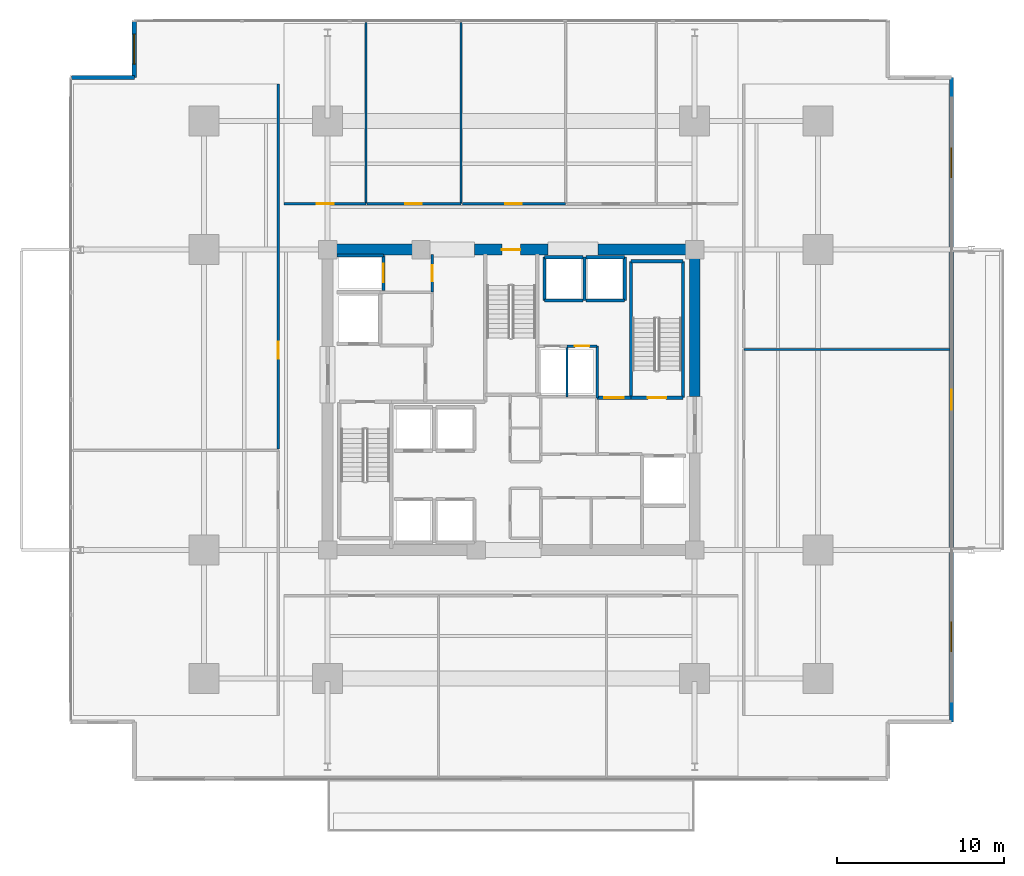
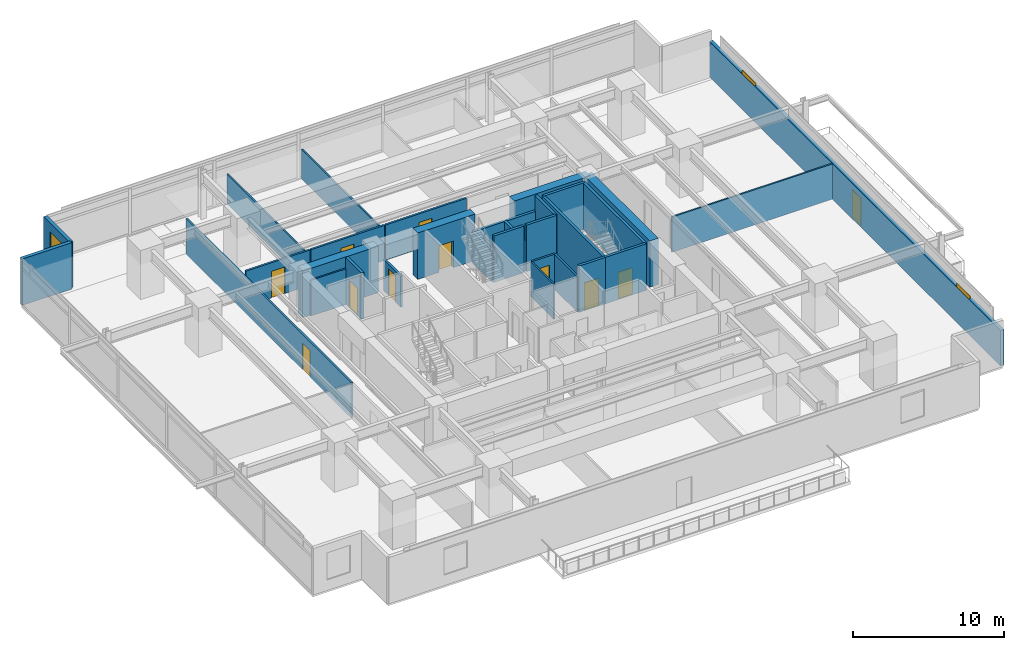
# One storey, part 18 of 24: 32 walls, 11 doors, 3 windows, 14 openings.
"""IFC4 building model written with IfcOpenShell, lengths in metres."""

from ifc_helpers import new_model, si_unit, direction, frame, frame_2d, origin, place, context, subcontext, project, spatial, rectangle, extrude, material, layer, layer_set, type_object, element, fill, save


model = new_model("IFC4")

# Units and contexts
model_context = context("Model", 3, precision=1e-05, world=origin(), true_north=direction((0.0, 1.0)))
body_context = subcontext(model_context, "Body", "Model", "MODEL_VIEW")
ifc_project = project(units=[si_unit("LENGTHUNIT", "METRE"), si_unit("AREAUNIT", "SQUARE_METRE"), si_unit("VOLUMEUNIT", "CUBIC_METRE"), si_unit("PLANEANGLEUNIT", "RADIAN"), si_unit("MASSUNIT", "GRAM", prefix="KILO")], contexts=[model_context])

# Site, building, storey
site_placement = place(None, origin())
site = spatial("IfcSite", under=ifc_project, at=site_placement, CompositionType="ELEMENT")
building_placement = place(site_placement, origin())
building = spatial("IfcBuilding", under=site, at=building_placement, Name="Kovane Verandah Tower", CompositionType="ELEMENT")
storey_placement = place(building_placement, frame((0.0, 0.0, 95.60009765625)))
storey = spatial("IfcBuildingStorey", under=building, at=storey_placement, Name="L22", CompositionType="ELEMENT", Elevation=95.60009765625)

# Wall, opening, door
ifc_material_1 = material(Name="Fire-Rated Gypsum Stud Partition", Category="gypsum")
ifc_layer_1 = layer(ifc_material_1, 0.14990234375)
ifc_layer_set_1 = layer_set([ifc_layer_1], Name="Fire-Rated Gypsum Stud Partition")
wall_type_1 = type_object("IfcWallType", Name="WL-COR-150", PredefinedType="PARTITIONING", material=ifc_layer_set_1)
wall_1_placement = place(storey_placement, frame((35.280029296875, 33.949951171875, 0.0), z_axis=(0.0, 0.0, 1.0), x_axis=(0.0, 1.0, 0.0)))
wall_1 = element("IfcWall", 1, at=wall_1_placement, inside=storey, type_object=wall_type_1, Name="L22 Goods Lift Lobby East Fire Partition", PredefinedType="PARTITIONING", context=body_context, shape_type="SweptSolid", body=[
    extrude(rectangle(XDim=2.27001953125, YDim=0.14990234375, at=frame_2d((1.135009765625, 0.0))), origin(), (0.0, 0.0, 1.0), 2.539794921875),
])
opening_1_placement = place(wall_1_placement, frame((0.659912109375, 0.0, 0.0)))
opening_1 = element("IfcOpeningElement", 2, at=opening_1_placement, cuts=wall_1, Name="Opening DR-L22-008", PredefinedType="OPENING", context=body_context, shape_type="SweptSolid", body=[
    extrude(rectangle(XDim=0.949951171875, YDim=2.14990234375, at=frame_2d((0.47509765625, 1.074951171875))), frame((0.0, 0.074951171875, 0.0), z_axis=(0.0, -1.0, 0.0), x_axis=(1.0, 0.0, 0.0)), (0.0, 0.0, 1.0), 0.14990234375),
])
ifc_material_2 = material(Name="Fire-Rated Steel Refuge and Lobby Door", Category="steel")
door_type_1 = type_object("IfcDoorType", Name="DR-FIRE-950", OperationType="SINGLE_SWING_LEFT", PredefinedType="DOOR", material=ifc_material_2)
door_1_placement = place(opening_1_placement, origin())
door_1 = element("IfcDoor", 3, at=door_1_placement, inside=storey, type_object=door_type_1, Name="L22 Goods Lift Lobby Fire Door", OperationType="SINGLE_SWING_LEFT", OverallHeight=2.14990234375, OverallWidth=0.949951171875, PredefinedType="DOOR", context=body_context, shape_type="SweptSolid", body=[
    extrude(rectangle(XDim=0.949951171875, YDim=2.14990234375, at=frame_2d((0.47509765625, 1.074951171875))), frame((0.0, 0.02490234375, 0.0), z_axis=(0.0, -1.0, 0.0), x_axis=(1.0, 0.0, 0.0)), (0.0, 0.0, 1.0), 0.050048828125),
])
fill(opening_1, door_1)

# Wall
wall_2_placement = place(storey_placement, frame((45.14990234375, 27.6201171875, 0.0), z_axis=(0.0, 0.0, 1.0), x_axis=(0.0, 1.0, 0.0)))
element("IfcWall", 4, at=wall_2_placement, inside=storey, type_object=wall_type_1, Name="L22 East Core Service Riser East Wall", PredefinedType="PARTITIONING", context=body_context, shape_type="SweptSolid", body=[
    extrude(rectangle(XDim=3.099853515625, YDim=0.14990234375, at=frame_2d((1.5498046875, 0.0))), origin(), (0.0, 0.0, 1.0), 2.849853515625),
])

# Wall, opening, door
wall_3_placement = place(storey_placement, frame((43.360107421875, 30.719970703125, 0.0), z_axis=(0.0, 0.0, 1.0), x_axis=(1.0, 0.0, 0.0)))
wall_3 = element("IfcWall", 5, at=wall_3_placement, inside=storey, type_object=wall_type_1, Name="L22 Smoke Extract Duct Room Partition", PredefinedType="PARTITIONING", context=body_context, shape_type="SweptSolid", body=[
    extrude(rectangle(XDim=1.789794921875, YDim=0.14990234375, at=frame_2d((0.89501953125, 0.0))), origin(), (0.0, 0.0, 1.0), 2.849853515625),
])
opening_2_placement = place(wall_3_placement, frame((0.455078125, 0.0, 0.0)))
opening_2 = element("IfcOpeningElement", 6, at=opening_2_placement, cuts=wall_3, Name="Opening DR-L22-018", PredefinedType="OPENING", context=body_context, shape_type="SweptSolid", body=[
    extrude(rectangle(XDim=0.8798828125, YDim=2.10009765625, at=frame_2d((0.43994140625, 1.050048828125))), frame((0.0, 0.074951171875, 0.0), z_axis=(0.0, -1.0, 0.0), x_axis=(1.0, 0.0, 0.0)), (0.0, 0.0, 1.0), 0.14990234375),
])
ifc_material_3 = material(Name="Fire-Rated Steel Riser Access Door", Category="steel")
door_type_2 = type_object("IfcDoorType", Name="DR-RISER-880", OperationType="SINGLE_SWING_LEFT", PredefinedType="DOOR", material=ifc_material_3)
door_2_placement = place(opening_2_placement, origin())
door_2 = element("IfcDoor", 7, at=door_2_placement, inside=storey, type_object=door_type_2, Name="L22 Smoke Extract Duct Room Door", OperationType="SINGLE_SWING_LEFT", OverallHeight=2.10009765625, OverallWidth=0.8798828125, PredefinedType="DOOR", context=body_context, shape_type="SweptSolid", body=[
    extrude(rectangle(XDim=0.8798828125, YDim=2.10009765625, at=frame_2d((0.43994140625, 1.050048828125))), frame((0.0, 0.02490234375, 0.0), z_axis=(0.0, -1.0, 0.0), x_axis=(1.0, 0.0, 0.0)), (0.0, 0.0, 1.0), 0.050048828125),
])
fill(opening_2, door_2)

wall_4_placement = place(storey_placement, frame((26.39990234375, 39.25, 0.0), z_axis=(0.0, 0.0, 1.0), x_axis=(1.0, 0.0, 0.0)))
wall_4 = element("IfcWall", 8, at=wall_4_placement, inside=storey, type_object=wall_type_1, Name="L22 Breakout Pantry N1 Corridor Partition", PredefinedType="PARTITIONING", context=body_context, shape_type="SweptSolid", body=[
    extrude(rectangle(XDim=4.89599609375, YDim=0.14990234375, at=frame_2d((2.447998046875, 0.0))), origin(), (0.0, 0.0, 1.0), 2.849853515625),
])
opening_3_placement = place(wall_4_placement, frame((1.962890625, 0.0, 0.0)))
opening_3 = element("IfcOpeningElement", 9, at=opening_3_placement, cuts=wall_4, Name="Opening DR-L22-019", PredefinedType="OPENING", context=body_context, shape_type="SweptSolid", body=[
    extrude(rectangle(XDim=1.0, YDim=2.14990234375, at=frame_2d((0.5, 1.074951171875))), frame((0.0, 0.074951171875, 0.0), z_axis=(0.0, -1.0, 0.0), x_axis=(1.0, 0.0, 0.0)), (0.0, 0.0, 1.0), 0.14990234375),
])
ifc_material_4 = material(Name="FSC Spotted-Gum Timber Fire-Rated Office Door", Category="wood")
door_type_3 = type_object("IfcDoorType", Name="DR-OFF-1000", OperationType="SINGLE_SWING_LEFT", PredefinedType="DOOR", material=ifc_material_4)
door_3_placement = place(opening_3_placement, origin())
door_3 = element("IfcDoor", 10, at=door_3_placement, inside=storey, type_object=door_type_3, Name="L22 Breakout Pantry N1 Entrance Door", OperationType="SINGLE_SWING_RIGHT", OverallHeight=2.14990234375, OverallWidth=1.0, PredefinedType="DOOR", context=body_context, shape_type="SweptSolid", body=[
    extrude(rectangle(XDim=1.0, YDim=2.14990234375, at=frame_2d((0.5, 1.074951171875))), frame((0.0, 0.02490234375, 0.0), z_axis=(0.0, -1.0, 0.0), x_axis=(1.0, 0.0, 0.0)), (0.0, 0.0, 1.0), 0.050048828125),
])
fill(opening_3, door_3)

wall_5_placement = place(storey_placement, frame((31.365966796875, 39.25, 0.0), z_axis=(0.0, 0.0, 1.0), x_axis=(1.0, 0.0, 0.0)))
wall_5 = element("IfcWall", 11, at=wall_5_placement, inside=storey, type_object=wall_type_1, Name="L22 Collaboration Hub N2 Corridor Partition", PredefinedType="PARTITIONING", context=body_context, shape_type="SweptSolid", body=[
    extrude(rectangle(XDim=5.64208984375, YDim=0.14990234375, at=frame_2d((2.821044921875, 0.0))), origin(), (0.0, 0.0, 1.0), 2.849853515625),
])
opening_4_placement = place(wall_5_placement, frame((2.285888671875, 0.0, 0.0)))
opening_4 = element("IfcOpeningElement", 12, at=opening_4_placement, cuts=wall_5, Name="Opening DR-L22-020", PredefinedType="OPENING", context=body_context, shape_type="SweptSolid", body=[
    extrude(rectangle(XDim=1.0, YDim=2.14990234375, at=frame_2d((0.5, 1.074951171875))), frame((0.0, 0.074951171875, 0.0), z_axis=(0.0, -1.0, 0.0), x_axis=(1.0, 0.0, 0.0)), (0.0, 0.0, 1.0), 0.14990234375),
])
door_4_placement = place(opening_4_placement, origin())
door_4 = element("IfcDoor", 13, at=door_4_placement, inside=storey, type_object=door_type_3, Name="L22 Collaboration Hub N2 Entrance Door", OperationType="SINGLE_SWING_LEFT", OverallHeight=2.14990234375, OverallWidth=1.0, PredefinedType="DOOR", context=body_context, shape_type="SweptSolid", body=[
    extrude(rectangle(XDim=1.0, YDim=2.14990234375, at=frame_2d((0.5, 1.074951171875))), frame((0.0, 0.02490234375, 0.0), z_axis=(0.0, -1.0, 0.0), x_axis=(1.0, 0.0, 0.0)), (0.0, 0.0, 1.0), 0.050048828125),
])
fill(opening_4, door_4)

wall_6_placement = place(storey_placement, frame((37.077880859375, 39.25, 0.0), z_axis=(0.0, 0.0, 1.0), x_axis=(1.0, 0.0, 0.0)))
wall_6 = element("IfcWall", 14, at=wall_6_placement, inside=storey, type_object=wall_type_1, Name="L22 Document and Print Room N3 Corridor Partition", PredefinedType="PARTITIONING", context=body_context, shape_type="SweptSolid", body=[
    extrude(rectangle(XDim=6.18603515625, YDim=0.14990234375, at=frame_2d((3.093017578125, 0.0))), origin(), (0.0, 0.0, 1.0), 2.849853515625),
])
opening_5_placement = place(wall_6_placement, frame((2.55810546875, 0.0, 0.0)))
opening_5 = element("IfcOpeningElement", 15, at=opening_5_placement, cuts=wall_6, Name="Opening DR-L22-021", PredefinedType="OPENING", context=body_context, shape_type="SweptSolid", body=[
    extrude(rectangle(XDim=1.0, YDim=2.14990234375, at=frame_2d((0.5, 1.074951171875))), frame((0.0, 0.074951171875, 0.0), z_axis=(0.0, -1.0, 0.0), x_axis=(1.0, 0.0, 0.0)), (0.0, 0.0, 1.0), 0.14990234375),
])
door_5_placement = place(opening_5_placement, origin())
door_5 = element("IfcDoor", 16, at=door_5_placement, inside=storey, type_object=door_type_3, Name="L22 Document and Print Room N3 Entrance Door", OperationType="SINGLE_SWING_RIGHT", OverallHeight=2.14990234375, OverallWidth=1.0, PredefinedType="DOOR", context=body_context, shape_type="SweptSolid", body=[
    extrude(rectangle(XDim=1.0, YDim=2.14990234375, at=frame_2d((0.5, 1.074951171875))), frame((0.0, 0.02490234375, 0.0), z_axis=(0.0, -1.0, 0.0), x_axis=(1.0, 0.0, 0.0)), (0.0, 0.0, 1.0), 0.050048828125),
])
fill(opening_5, door_5)

wall_7_placement = place(storey_placement, frame((26.050048828125, 24.544189453125, 0.0), z_axis=(0.0, 0.0, 1.0), x_axis=(0.0, 1.0, 0.0)))
wall_7 = element("IfcWall", 17, at=wall_7_placement, inside=storey, type_object=wall_type_1, Name="L22 Collaboration Hub W2 Corridor Partition", PredefinedType="PARTITIONING", context=body_context, shape_type="SweptSolid", body=[
    extrude(rectangle(XDim=21.86669921875, YDim=0.14990234375, at=frame_2d((10.933349609375, 0.0))), origin(), (0.0, 0.0, 1.0), 2.849853515625),
])
opening_6_placement = place(wall_7_placement, frame((5.427734375, 0.0, 0.0)))
opening_6 = element("IfcOpeningElement", 18, at=opening_6_placement, cuts=wall_7, Name="Opening DR-L22-032", PredefinedType="OPENING", context=body_context, shape_type="SweptSolid", body=[
    extrude(rectangle(XDim=1.0, YDim=2.14990234375, at=frame_2d((0.5, 1.074951171875))), frame((0.0, 0.074951171875, 0.0), z_axis=(0.0, -1.0, 0.0), x_axis=(1.0, 0.0, 0.0)), (0.0, 0.0, 1.0), 0.14990234375),
])
door_6_placement = place(opening_6_placement, origin())
door_6 = element("IfcDoor", 19, at=door_6_placement, inside=storey, type_object=door_type_3, Name="L22 Collaboration Hub W2 Entrance Door", OperationType="SINGLE_SWING_LEFT", OverallHeight=2.14990234375, OverallWidth=1.0, PredefinedType="DOOR", context=body_context, shape_type="SweptSolid", body=[
    extrude(rectangle(XDim=1.0, YDim=2.14990234375, at=frame_2d((0.5, 1.074951171875))), frame((0.0, 0.02490234375, 0.0), z_axis=(0.0, -1.0, 0.0), x_axis=(1.0, 0.0, 0.0)), (0.0, 0.0, 1.0), 0.050048828125),
])
fill(opening_6, door_6)

# Wall
ifc_material_5 = material(Name="Concrete C80/95", Category="concrete")
ifc_layer_2 = layer(ifc_material_5, 0.64990234375)
ifc_layer_set_2 = layer_set([ifc_layer_2], Name="Concrete C80/95")
wall_type_2 = type_object("IfcWallType", Name="WL-CORE-650", PredefinedType="SHEAR", material=ifc_layer_set_2)
wall_8_placement = place(storey_placement, frame((29.0, 36.5, 0.0), z_axis=(0.0, 0.0, 1.0), x_axis=(1.0, 0.0, 0.0)))
element("IfcWall", 20, at=wall_8_placement, inside=storey, type_object=wall_type_2, Name="L22 Core Shear Wall CN-1", PredefinedType="SHEAR", context=body_context, shape_type="SweptSolid", body=[
    extrude(rectangle(XDim=5.800048828125, YDim=0.64990234375, at=frame_2d((2.89990234375, 0.0))), origin(), (0.0, 0.0, 1.0), 3.760009765625),
])

# Wall, opening, door
wall_9_placement = place(storey_placement, frame((37.800048828125, 36.5, 0.0), z_axis=(0.0, 0.0, 1.0), x_axis=(1.0, 0.0, 0.0)))
wall_9 = element("IfcWall", 21, at=wall_9_placement, inside=storey, type_object=wall_type_2, Name="L22 Core Shear Wall CN-2", PredefinedType="SHEAR", context=body_context, shape_type="SweptSolid", body=[
    extrude(rectangle(XDim=4.39990234375, YDim=0.64990234375, at=frame_2d((2.199951171875, 0.0))), origin(), (0.0, 0.0, 1.0), 3.760009765625),
])
opening_7_placement = place(wall_9_placement, frame((1.64990234375, 0.0, 0.0)))
opening_7 = element("IfcOpeningElement", 22, at=opening_7_placement, cuts=wall_9, Name="Opening DR-L22-011", PredefinedType="OPENING", context=body_context, shape_type="SweptSolid", body=[
    extrude(rectangle(XDim=1.10009765625, YDim=2.14990234375, at=frame_2d((0.550048828125, 1.074951171875))), frame((0.0, 0.324951171875, 0.0), z_axis=(0.0, -1.0, 0.0), x_axis=(1.0, 0.0, 0.0)), (0.0, 0.0, 1.0), 0.64990234375),
])
ifc_material_6 = material(Name="Fire-Rated Steel Exit Door", Category="steel")
door_type_4 = type_object("IfcDoorType", Name="DR-STAIR-1100", OperationType="SINGLE_SWING_LEFT", PredefinedType="DOOR", material=ifc_material_6)
door_7_placement = place(opening_7_placement, origin())
door_7 = element("IfcDoor", 23, at=door_7_placement, inside=storey, type_object=door_type_4, Name="L22 ST-03 Fire Exit Stair Door", OperationType="SINGLE_SWING_LEFT", OverallHeight=2.14990234375, OverallWidth=1.10009765625, PredefinedType="DOOR", context=body_context, shape_type="SweptSolid", body=[
    extrude(rectangle(XDim=1.10009765625, YDim=2.14990234375, at=frame_2d((0.550048828125, 1.074951171875))), frame((0.0, 0.02490234375, 0.0), z_axis=(0.0, -1.0, 0.0), x_axis=(1.0, 0.0, 0.0)), (0.0, 0.0, 1.0), 0.050048828125),
])
fill(opening_7, door_7)

# Walls
wall_10_placement = place(storey_placement, frame((45.199951171875, 36.5, 0.0), z_axis=(0.0, 0.0, 1.0), x_axis=(1.0, 0.0, 0.0)))
element("IfcWall", 24, at=wall_10_placement, inside=storey, type_object=wall_type_2, Name="L22 Core Shear Wall CN-3", PredefinedType="SHEAR", context=body_context, shape_type="SweptSolid", body=[
    extrude(rectangle(XDim=5.800048828125, YDim=0.64990234375, at=frame_2d((2.89990234375, 0.0))), origin(), (0.0, 0.0, 1.0), 3.760009765625),
])
wall_11_placement = place(storey_placement, frame((51.0, 27.699951171875, 0.0), z_axis=(0.0, 0.0, 1.0), x_axis=(0.0, 1.0, 0.0)))
element("IfcWall", 25, at=wall_11_placement, inside=storey, type_object=wall_type_2, Name="L22 Core Shear Wall CE-2", PredefinedType="SHEAR", context=body_context, shape_type="SweptSolid", body=[
    extrude(rectangle(XDim=8.800048828125, YDim=0.64990234375, at=frame_2d((4.39990234375, 0.0))), origin(), (0.0, 0.0, 1.0), 3.760009765625),
])

# Wall, opening, door
ifc_material_7 = material(Name="Concrete C45/55 Fire Wall", Category="concrete")
ifc_layer_3 = layer(ifc_material_7, 0.199951171875)
ifc_layer_set_3 = layer_set([ifc_layer_3], Name="Concrete C45/55 Fire Wall")
wall_type_3 = type_object("IfcWallType", Name="WL-FFL-200", PredefinedType="PARTITIONING", material=ifc_layer_set_3)
wall_12_placement = place(storey_placement, frame((45.14990234375, 27.6201171875, 0.0), z_axis=(0.0, 0.0, 1.0), x_axis=(1.0, 0.0, 0.0)))
wall_12 = element("IfcWall", 26, at=wall_12_placement, inside=storey, type_object=wall_type_3, Name="W-L22-FFLE-N", PredefinedType="PARTITIONING", context=body_context, shape_type="SweptSolid", body=[
    extrude(rectangle(XDim=2.030029296875, YDim=0.199951171875, at=frame_2d((1.01513671875, 0.0))), origin(), (0.0, 0.0, 1.0), 3.760009765625),
])
opening_8_placement = place(wall_12_placement, frame((0.43994140625, 0.0, 0.0)))
opening_8 = element("IfcOpeningElement", 27, at=opening_8_placement, cuts=wall_12, Name="Opening DR-L22-004", PredefinedType="OPENING", context=body_context, shape_type="SweptSolid", body=[
    extrude(rectangle(XDim=1.14990234375, YDim=2.199951171875, at=frame_2d((0.574951171875, 1.10009765625))), frame((0.0, 0.10009765625, 0.0), z_axis=(0.0, -1.0, 0.0), x_axis=(1.0, 0.0, 0.0)), (0.0, 0.0, 1.0), 0.199951171875),
])
ifc_material_8 = material(Name="Smoke-Sealed Firefighting Lobby Door", Category="steel")
door_type_5 = type_object("IfcDoorType", Name="DR-FFL-1150", OperationType="SINGLE_SWING_LEFT", PredefinedType="DOOR", material=ifc_material_8)
door_8_placement = place(opening_8_placement, origin())
door_8 = element("IfcDoor", 28, at=door_8_placement, inside=storey, type_object=door_type_5, Name="L22 East Firefighting Lobby Shuttle Link Door", OperationType="SINGLE_SWING_LEFT", OverallHeight=2.199951171875, OverallWidth=1.14990234375, PredefinedType="DOOR", context=body_context, shape_type="SweptSolid", body=[
    extrude(rectangle(XDim=1.14990234375, YDim=2.199951171875, at=frame_2d((0.574951171875, 1.10009765625))), frame((0.0, 0.02490234375, 0.0), z_axis=(0.0, -1.0, 0.0), x_axis=(1.0, 0.0, 0.0)), (0.0, 0.0, 1.0), 0.050048828125),
])
fill(opening_8, door_8)

# Wall
ifc_material_9 = material(Name="Concrete C45/55 Lift Shaft Wall", Category="concrete")
ifc_layer_4 = layer(ifc_material_9, 0.199951171875)
ifc_layer_set_4 = layer_set([ifc_layer_4], Name="Concrete C45/55 Lift Shaft Wall")
wall_type_4 = type_object("IfcWallType", Name="WL-LIFT-200", PredefinedType="SOLIDWALL", material=ifc_layer_set_4)
wall_13_placement = place(storey_placement, frame((32.35009765625, 36.14990234375, 0.0), z_axis=(0.0, 0.0, 1.0), x_axis=(-1.0, 0.0, 0.0)))
element("IfcWall", 29, at=wall_13_placement, inside=storey, type_object=wall_type_4, Name="L22 Lift GL-01 N Shaft Wall", PredefinedType="SOLIDWALL", context=body_context, shape_type="SweptSolid", body=[
    extrude(rectangle(XDim=2.800048828125, YDim=0.199951171875, at=frame_2d((1.39990234375, 0.0))), origin(), (0.0, 0.0, 1.0), 2.88916015625),
])

# Wall, opening, door
wall_14_placement = place(storey_placement, frame((32.35009765625, 34.050048828125, 0.0), z_axis=(0.0, 0.0, 1.0), x_axis=(0.0, 1.0, 0.0)))
wall_14 = element("IfcWall", 30, at=wall_14_placement, inside=storey, type_object=wall_type_4, Name="L22 Lift GL-01 E Shaft Wall", PredefinedType="SOLIDWALL", context=body_context, shape_type="SweptSolid", body=[
    extrude(rectangle(XDim=2.099853515625, YDim=0.199951171875, at=frame_2d((1.0498046875, 0.0))), origin(), (0.0, 0.0, 1.0), 3.760009765625),
])
opening_9_placement = place(wall_14_placement, frame((0.5, 0.0, 0.0)))
opening_9 = element("IfcOpeningElement", 31, at=opening_9_placement, cuts=wall_14, Name="Opening LD-L22-003", PredefinedType="OPENING", context=body_context, shape_type="SweptSolid", body=[
    extrude(rectangle(XDim=1.10009765625, YDim=2.199951171875, at=frame_2d((0.550048828125, 1.10009765625))), frame((0.0, 0.10009765625, 0.0), z_axis=(0.0, -1.0, 0.0), x_axis=(1.0, 0.0, 0.0)), (0.0, 0.0, 1.0), 0.199951171875),
])
ifc_material_10 = material(Name="Brushed Stainless Steel Sliding Lift Landing Door", Category="steel")
door_type_6 = type_object("IfcDoorType", Name="DR-LIFT-1100", OperationType="SLIDING_TO_RIGHT", PredefinedType="DOOR", material=ifc_material_10)
door_9_placement = place(opening_9_placement, origin())
door_9 = element("IfcDoor", 32, at=door_9_placement, inside=storey, type_object=door_type_6, Name="L22 Lift GL-01 Sliding Landing Door", OperationType="SLIDING_TO_RIGHT", OverallHeight=2.199951171875, OverallWidth=1.10009765625, PredefinedType="DOOR", context=body_context, shape_type="SweptSolid", body=[
    extrude(rectangle(XDim=1.10009765625, YDim=2.199951171875, at=frame_2d((0.550048828125, 1.10009765625))), frame((0.0, 0.02490234375, 0.0), z_axis=(0.0, -1.0, 0.0), x_axis=(1.0, 0.0, 0.0)), (0.0, 0.0, 1.0), 0.050048828125),
])
fill(opening_9, door_9)

# Walls
wall_15_placement = place(storey_placement, frame((42.0, 33.449951171875, 0.0), z_axis=(0.0, 0.0, 1.0), x_axis=(1.0, 0.0, 0.0)))
element("IfcWall", 33, at=wall_15_placement, inside=storey, type_object=wall_type_4, Name="L22 Lift SL-01 S Shaft Wall", PredefinedType="SOLIDWALL", context=body_context, shape_type="SweptSolid", body=[
    extrude(rectangle(XDim=2.300048828125, YDim=0.199951171875, at=frame_2d((1.14990234375, 0.0))), origin(), (0.0, 0.0, 1.0), 3.760009765625),
])
wall_16_placement = place(storey_placement, frame((44.300048828125, 36.050048828125, 0.0), z_axis=(0.0, 0.0, 1.0), x_axis=(-1.0, 0.0, 0.0)))
element("IfcWall", 34, at=wall_16_placement, inside=storey, type_object=wall_type_4, Name="L22 Lift SL-01 N Shaft Wall", PredefinedType="SOLIDWALL", context=body_context, shape_type="SweptSolid", body=[
    extrude(rectangle(XDim=2.300048828125, YDim=0.199951171875, at=frame_2d((1.14990234375, 0.0))), origin(), (0.0, 0.0, 1.0), 2.539794921875),
])
for number, where, z_axis, x_axis, name in (
    (35, (42.0, 36.050048828125, 0.0), (0.0, 0.0, 1.0), (0.0, -1.0, 0.0), "L22 Lift SL-01 W Shaft Wall"),
    (36, (44.39990234375, 33.449951171875, 0.0), (0.0, 0.0, 1.0), (0.0, 1.0, 0.0), "L22 Lift OL-01 and SL-01 Shared Shaft Wall"),
):
    element("IfcWall", number, at=place(storey_placement, frame(where, z_axis=z_axis, x_axis=x_axis)), inside=storey, type_object=wall_type_4, Name=name, PredefinedType="SOLIDWALL", context=body_context, shape_type="SweptSolid", body=[
        extrude(rectangle(XDim=2.60009765625, YDim=0.199951171875, at=frame_2d((1.300048828125, 0.0))), origin(), (0.0, 0.0, 1.0), 2.539794921875),
    ])
wall_17_placement = place(storey_placement, frame((44.5, 33.449951171875, 0.0), z_axis=(0.0, 0.0, 1.0), x_axis=(1.0, 0.0, 0.0)))
element("IfcWall", 37, at=wall_17_placement, inside=storey, type_object=wall_type_4, Name="L22 Lift OL-01 S Shaft Wall", PredefinedType="SOLIDWALL", context=body_context, shape_type="SweptSolid", body=[
    extrude(rectangle(XDim=2.300048828125, YDim=0.199951171875, at=frame_2d((1.14990234375, 0.0))), origin(), (0.0, 0.0, 1.0), 3.760009765625),
])
wall_18_placement = place(storey_placement, frame((46.800048828125, 36.050048828125, 0.0), z_axis=(0.0, 0.0, 1.0), x_axis=(-1.0, 0.0, 0.0)))
element("IfcWall", 38, at=wall_18_placement, inside=storey, type_object=wall_type_4, Name="L22 Lift OL-01 N Shaft Wall", PredefinedType="SOLIDWALL", context=body_context, shape_type="SweptSolid", body=[
    extrude(rectangle(XDim=2.300048828125, YDim=0.199951171875, at=frame_2d((1.14990234375, 0.0))), origin(), (0.0, 0.0, 1.0), 2.539794921875),
])
wall_19_placement = place(storey_placement, frame((46.800048828125, 33.449951171875, 0.0), z_axis=(0.0, 0.0, 1.0), x_axis=(0.0, 1.0, 0.0)))
element("IfcWall", 39, at=wall_19_placement, inside=storey, type_object=wall_type_4, Name="L22 Lift OL-01 E Shaft Wall", PredefinedType="SOLIDWALL", context=body_context, shape_type="SweptSolid", body=[
    extrude(rectangle(XDim=2.60009765625, YDim=0.199951171875, at=frame_2d((1.300048828125, 0.0))), origin(), (0.0, 0.0, 1.0), 3.760009765625),
])
ifc_material_11 = material(Name="Acoustic Fire-Rated Gypsum Partition", Category="gypsum")
ifc_layer_5 = layer(ifc_material_11, 0.1201171875)
ifc_layer_set_5 = layer_set([ifc_layer_5], Name="Acoustic Fire-Rated Gypsum Partition")
wall_type_5 = type_object("IfcWallType", Name="WL-PART-120", PredefinedType="PARTITIONING", material=ifc_layer_set_5)
wall_20_placement = place(storey_placement, frame((43.360107421875, 27.679931640625, 0.0), z_axis=(0.0, 0.0, 1.0), x_axis=(0.0, 1.0, 0.0)))
element("IfcWall", 40, at=wall_20_placement, inside=storey, type_object=wall_type_5, Name="L22 Service Riser Dividing Partition", PredefinedType="PARTITIONING", context=body_context, shape_type="SweptSolid", body=[
    extrude(rectangle(XDim=3.0400390625, YDim=0.1201171875, at=frame_2d((1.52001953125, 0.0))), origin(), (0.0, 0.0, 1.0), 2.849853515625),
])
for number, where, z_axis, x_axis, name in (
    (41, (31.2958984375, 39.25, 0.0), (0.0, 0.0, 1.0), (0.0, 1.0, 0.0), "L22 Breakout Pantry N1 Dividing Partition"),
    (42, (37.008056640625, 39.25, 0.0), (0.0, 0.0, 1.0), (0.0, 1.0, 0.0), "L22 Collaboration Hub N2 Dividing Partition"),
):
    element("IfcWall", number, at=place(storey_placement, frame(where, z_axis=z_axis, x_axis=x_axis)), inside=storey, type_object=wall_type_5, Name=name, PredefinedType="PARTITIONING", context=body_context, shape_type="SweptSolid", body=[
        extrude(rectangle(XDim=10.86083984375, YDim=0.1201171875, at=frame_2d((5.430419921875, 0.0))), origin(), (0.0, 0.0, 1.0), 2.389892578125),
    ])
wall_21_placement = place(storey_placement, frame((53.949951171875, 30.525634765625, 0.0), z_axis=(0.0, 0.0, 1.0), x_axis=(1.0, 0.0, 0.0)))
element("IfcWall", 43, at=wall_21_placement, inside=storey, type_object=wall_type_5, Name="L22 Document and Print Room E1 Dividing Partition", PredefinedType="PARTITIONING", context=body_context, shape_type="SweptSolid", body=[
    extrude(rectangle(XDim=12.337158203125, YDim=0.1201171875, at=frame_2d((6.16845703125, 0.0))), origin(), (0.0, 0.0, 1.0), 2.849853515625),
])
ifc_material_12 = material(Name="Concrete C45/55", Category="concrete")
ifc_layer_6 = layer(ifc_material_12, 0.199951171875)
ifc_layer_set_6 = layer_set([ifc_layer_6], Name="Concrete C45/55")
wall_type_6 = type_object("IfcWallType", Name="WL-SHAFT-200", PredefinedType="SOLIDWALL", material=ifc_layer_set_6)
wall_22_placement = place(storey_placement, frame((50.300048828125, 27.64990234375, 0.0), z_axis=(0.0, 0.0, 1.0), x_axis=(0.0, 1.0, 0.0)))
element("IfcWall", 44, at=wall_22_placement, inside=storey, type_object=wall_type_6, Name="W-L22-ST02-E", PredefinedType="SOLIDWALL", context=body_context, shape_type="SweptSolid", body=[
    extrude(rectangle(XDim=8.150146484375, YDim=0.199951171875, at=frame_2d((4.0751953125, 0.0))), origin(), (0.0, 0.0, 1.0), 3.760009765625),
])
wall_23_placement = place(storey_placement, frame((47.179931640625, 35.800048828125, 0.0), z_axis=(0.0, 0.0, 1.0), x_axis=(1.0, 0.0, 0.0)))
element("IfcWall", 45, at=wall_23_placement, inside=storey, type_object=wall_type_6, Name="W-L22-ST02-N", PredefinedType="SOLIDWALL", context=body_context, shape_type="SweptSolid", body=[
    extrude(rectangle(XDim=3.1201171875, YDim=0.199951171875, at=frame_2d((1.56005859375, 0.0))), origin(), (0.0, 0.0, 1.0), 3.760009765625),
])
wall_24_placement = place(storey_placement, frame((47.179931640625, 27.6201171875, 0.0), z_axis=(0.0, 0.0, 1.0), x_axis=(0.0, 1.0, 0.0)))
element("IfcWall", 46, at=wall_24_placement, inside=storey, type_object=wall_type_6, Name="W-L22-ST02-W", PredefinedType="SOLIDWALL", context=body_context, shape_type="SweptSolid", body=[
    extrude(rectangle(XDim=8.179931640625, YDim=0.199951171875, at=frame_2d((4.08984375, 0.0))), origin(), (0.0, 0.0, 1.0), 3.760009765625),
])

# Wall, opening, door
wall_25_placement = place(storey_placement, frame((47.179931640625, 27.6201171875, 0.0), z_axis=(0.0, 0.0, 1.0), x_axis=(1.0, 0.0, 0.0)))
wall_25 = element("IfcWall", 47, at=wall_25_placement, inside=storey, type_object=wall_type_6, Name="W-L22-ST02-S", PredefinedType="SOLIDWALL", context=body_context, shape_type="SweptSolid", body=[
    extrude(rectangle(XDim=3.1201171875, YDim=0.199951171875, at=frame_2d((1.56005859375, 0.0))), origin(), (0.0, 0.0, 1.0), 3.760009765625),
])
opening_10_placement = place(wall_25_placement, frame((1.010009765625, 0.0, 0.0)))
opening_10 = element("IfcOpeningElement", 48, at=opening_10_placement, cuts=wall_25, Name="Opening DR-L22-010", PredefinedType="OPENING", context=body_context, shape_type="SweptSolid", body=[
    extrude(rectangle(XDim=1.10009765625, YDim=2.14990234375, at=frame_2d((0.550048828125, 1.074951171875))), frame((0.0, 0.10009765625, 0.0), z_axis=(0.0, -1.0, 0.0), x_axis=(1.0, 0.0, 0.0)), (0.0, 0.0, 1.0), 0.199951171875),
])
door_10_placement = place(opening_10_placement, origin())
door_10 = element("IfcDoor", 49, at=door_10_placement, inside=storey, type_object=door_type_4, Name="L22 ST-02 Fire Exit Stair Door", OperationType="SINGLE_SWING_RIGHT", OverallHeight=2.14990234375, OverallWidth=1.10009765625, PredefinedType="DOOR", context=body_context, shape_type="SweptSolid", body=[
    extrude(rectangle(XDim=1.10009765625, YDim=2.14990234375, at=frame_2d((0.550048828125, 1.074951171875))), frame((0.0, 0.02490234375, 0.0), z_axis=(0.0, -1.0, 0.0), x_axis=(1.0, 0.0, 0.0)), (0.0, 0.0, 1.0), 0.050048828125),
])
fill(opening_10, door_10)

# Wall, openings, door, windows
ifc_material_13 = material(Name="Concrete C45/55 Insulated Spandrel Wall", Category="concrete")
ifc_layer_7 = layer(ifc_material_13, 0.260009765625)
ifc_layer_set_7 = layer_set([ifc_layer_7], Name="Concrete C45/55 Insulated Spandrel Wall")
wall_type_7 = type_object("IfcWallType", Name="WL-SPANDREL-260", PredefinedType="PARAPET", material=ifc_layer_set_7)
wall_26_placement = place(storey_placement, frame((66.386962890625, 8.189208984375, 0.0), z_axis=(0.0, 0.0, 1.0), x_axis=(0.0, 1.0, 0.0)))
wall_26 = element("IfcWall", 50, at=wall_26_placement, inside=storey, type_object=wall_type_7, Name="L22 E Verandah Access Facade Wall", PredefinedType="PARAPET", context=body_context, shape_type="SweptSolid", body=[
    extrude(rectangle(XDim=38.62158203125, YDim=0.260009765625, at=frame_2d((19.310791015625, 0.0))), origin(), (0.0, 0.0, 1.0), 2.88916015625),
])
opening_11_placement = place(wall_26_placement, frame((4.199951171875, 0.0, 0.85009765625)))
opening_11 = element("IfcOpeningElement", 51, at=opening_11_placement, cuts=wall_26, Name="Opening W-03", PredefinedType="OPENING", context=body_context, shape_type="SweptSolid", body=[
    extrude(rectangle(XDim=1.800048828125, YDim=2.199951171875, at=frame_2d((0.89990234375, 1.10009765625))), frame((0.0, 0.1298828125, 0.0), z_axis=(0.0, -1.0, 0.0), x_axis=(1.0, 0.0, 0.0)), (0.0, 0.0, 1.0), 0.260009765625),
])
opening_12_placement = place(wall_26_placement, frame((18.7109375, 0.0, 0.0)))
opening_12 = element("IfcOpeningElement", 52, at=opening_12_placement, cuts=wall_26, Name="Opening DR-L22-001", PredefinedType="OPENING", context=body_context, shape_type="SweptSolid", body=[
    extrude(rectangle(XDim=1.199951171875, YDim=2.199951171875, at=frame_2d((0.60009765625, 1.10009765625))), frame((0.0, 0.1298828125, 0.0), z_axis=(0.0, -1.0, 0.0), x_axis=(1.0, 0.0, 0.0)), (0.0, 0.0, 1.0), 0.260009765625),
])
opening_13_placement = place(wall_26_placement, frame((32.621826171875, 0.0, 0.85009765625)))
opening_13 = element("IfcOpeningElement", 53, at=opening_13_placement, cuts=wall_26, Name="Opening W-03", PredefinedType="OPENING", context=body_context, shape_type="SweptSolid", body=[
    extrude(rectangle(XDim=1.800048828125, YDim=2.199951171875, at=frame_2d((0.89990234375, 1.10009765625))), frame((0.0, 0.1298828125, 0.0), z_axis=(0.0, -1.0, 0.0), x_axis=(1.0, 0.0, 0.0)), (0.0, 0.0, 1.0), 0.260009765625),
])
ifc_material_14 = material(Name="Cyclone-Rated Glazed Balcony Leaf Door", Category="aluminium")
door_type_7 = type_object("IfcDoorType", Name="DR-BAL-1200x2200", OperationType="SINGLE_SWING_LEFT", PredefinedType="DOOR", material=ifc_material_14)
door_11_placement = place(opening_12_placement, origin())
door_11 = element("IfcDoor", 54, at=door_11_placement, inside=storey, type_object=door_type_7, Name="L22 E Planted Balcony Access Door", OperationType="SINGLE_SWING_LEFT", OverallHeight=2.199951171875, OverallWidth=1.199951171875, PredefinedType="DOOR", context=body_context, shape_type="SweptSolid", body=[
    extrude(rectangle(XDim=1.199951171875, YDim=2.199951171875, at=frame_2d((0.60009765625, 1.10009765625))), frame((0.0, 0.02490234375, 0.0), z_axis=(0.0, -1.0, 0.0), x_axis=(1.0, 0.0, 0.0)), (0.0, 0.0, 1.0), 0.050048828125),
])
fill(opening_12, door_11)
ifc_material_15 = material(Name="Clear Low-E Laminated Double Glazing in Anodised Frame", Category="glass")
window_type = type_object("IfcWindowType", Name="WN-NOTCH-1800x2200", PartitioningType="SINGLE_PANEL", PredefinedType="WINDOW", material=ifc_material_15)
window_1_placement = place(opening_11_placement, origin())
window_1 = element("IfcWindow", 55, at=window_1_placement, inside=storey, type_object=window_type, Name="L22 E Verandah View Window 1", OverallHeight=2.199951171875, OverallWidth=1.800048828125, PartitioningType="SINGLE_PANEL", PredefinedType="WINDOW", context=body_context, shape_type="SweptSolid", body=[
    extrude(rectangle(XDim=1.800048828125, YDim=2.199951171875, at=frame_2d((0.89990234375, 1.10009765625))), frame((0.0, 0.030029296875, 0.0), z_axis=(0.0, -1.0, 0.0), x_axis=(1.0, 0.0, 0.0)), (0.0, 0.0, 1.0), 0.06005859375),
])
fill(opening_11, window_1)
window_2_placement = place(opening_13_placement, origin())
window_2 = element("IfcWindow", 56, at=window_2_placement, inside=storey, type_object=window_type, Name="L22 E Verandah View Window 2", OverallHeight=2.199951171875, OverallWidth=1.800048828125, PartitioningType="SINGLE_PANEL", PredefinedType="WINDOW", context=body_context, shape_type="SweptSolid", body=[
    extrude(rectangle(XDim=1.800048828125, YDim=2.199951171875, at=frame_2d((0.89990234375, 1.10009765625))), frame((0.0, 0.030029296875, 0.0), z_axis=(0.0, -1.0, 0.0), x_axis=(1.0, 0.0, 0.0)), (0.0, 0.0, 1.0), 0.06005859375),
])
fill(opening_13, window_2)

# Wall, opening, window
wall_27_placement = place(storey_placement, frame((17.4130859375, 50.2109375, 0.0), z_axis=(0.0, 0.0, 1.0), x_axis=(0.0, -1.0, 0.0)))
wall_27 = element("IfcWall", 57, at=wall_27_placement, inside=storey, type_object=wall_type_7, Name="L22 NW Notch Cheek Wall 1", PredefinedType="PARAPET", context=body_context, shape_type="SweptSolid", body=[
    extrude(rectangle(XDim=3.400146484375, YDim=0.260009765625, at=frame_2d((1.7001953125, 0.0))), origin(), (0.0, 0.0, 1.0), 3.760009765625),
])
opening_14_placement = place(wall_27_placement, frame((0.800048828125, 0.0, 0.85009765625)))
opening_14 = element("IfcOpeningElement", 58, at=opening_14_placement, cuts=wall_27, Name="Opening W-03", PredefinedType="OPENING", context=body_context, shape_type="SweptSolid", body=[
    extrude(rectangle(XDim=1.800048828125, YDim=2.199951171875, at=frame_2d((0.89990234375, 1.10009765625))), frame((0.0, 0.1298828125, 0.0), z_axis=(0.0, -1.0, 0.0), x_axis=(1.0, 0.0, 0.0)), (0.0, 0.0, 1.0), 0.260009765625),
])
window_3_placement = place(opening_14_placement, origin())
window_3 = element("IfcWindow", 59, at=window_3_placement, inside=storey, type_object=window_type, Name="L22 NW Re-Entrant Corner Operable Window", OverallHeight=2.199951171875, OverallWidth=1.800048828125, PartitioningType="SINGLE_PANEL", PredefinedType="WINDOW", context=body_context, shape_type="SweptSolid", body=[
    extrude(rectangle(XDim=1.800048828125, YDim=2.199951171875, at=frame_2d((0.89990234375, 1.10009765625))), frame((0.0, 0.030029296875, 0.0), z_axis=(0.0, -1.0, 0.0), x_axis=(1.0, 0.0, 0.0)), (0.0, 0.0, 1.0), 0.06005859375),
])
fill(opening_14, window_3)

# Wall
wall_28_placement = place(storey_placement, frame((17.4130859375, 46.810791015625, 0.0), z_axis=(0.0, 0.0, 1.0), x_axis=(-1.0, 0.0, 0.0)))
element("IfcWall", 60, at=wall_28_placement, inside=storey, type_object=wall_type_7, Name="L22 NW Notch Cheek Wall 2", PredefinedType="PARAPET", context=body_context, shape_type="SweptSolid", body=[
    extrude(rectangle(XDim=3.800048828125, YDim=0.260009765625, at=frame_2d((1.89990234375, 0.0))), origin(), (0.0, 0.0, 1.0), 3.760009765625),
])

save(model, "model.ifc")
